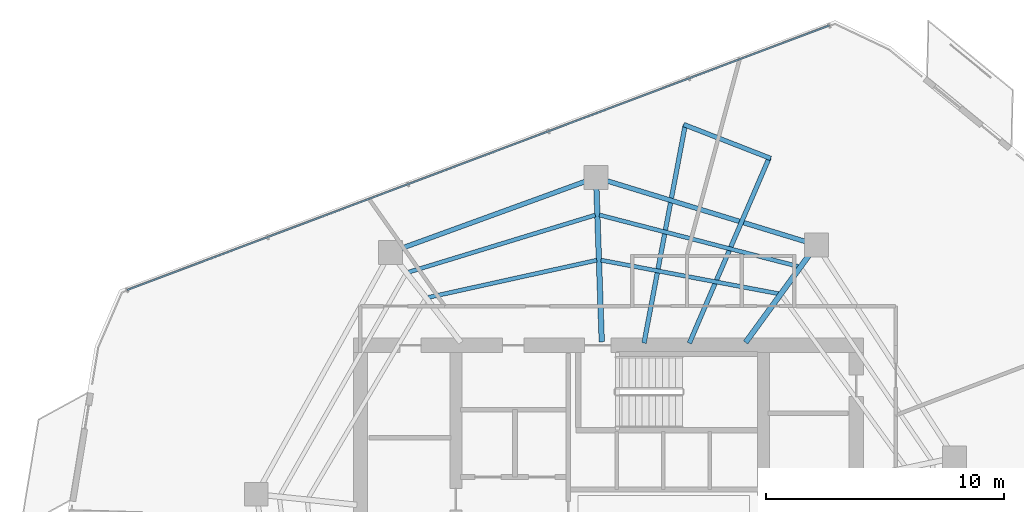
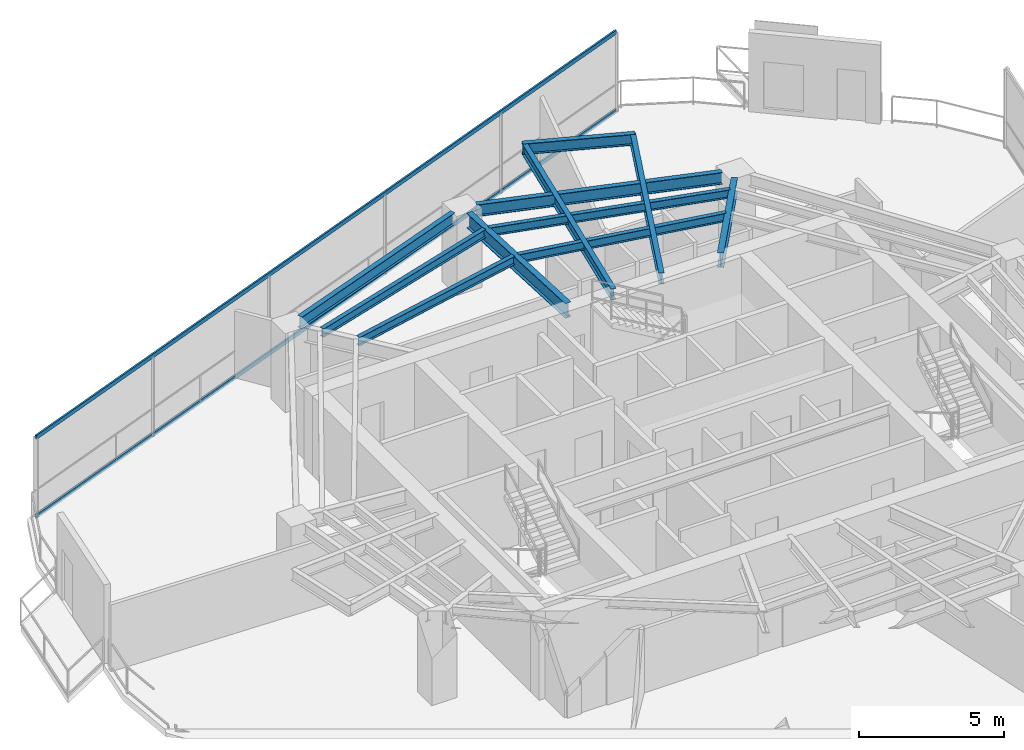
# One storey, part 11 of 19: 11 beams, 2 members, 1 element without a shape of its own.
"""IFC4 building model written with IfcOpenShell, lengths in metres."""

from ifc_helpers import new_model, si_unit, direction, frame, origin, origin_2d, place, context, subcontext, project, spatial, hollow_rectangle, i_section, extrude, material, layer, layer_set, material_profile, profile_set, type_object, element, aggregate, save


model = new_model("IFC4")

# Units and contexts
model_context = context("Model", 3, precision=1e-05, world=origin(), true_north=direction((0.0, 1.0)))
body_context = subcontext(model_context, "Body", "Model", "MODEL_VIEW")
ifc_project = project(units=[si_unit("LENGTHUNIT", "METRE"), si_unit("AREAUNIT", "SQUARE_METRE"), si_unit("VOLUMEUNIT", "CUBIC_METRE"), si_unit("PLANEANGLEUNIT", "RADIAN"), si_unit("MASSUNIT", "GRAM", prefix="KILO")], contexts=[model_context])

# Site, building, storey
site_placement = place(None, origin())
site = spatial("IfcSite", under=ifc_project, at=site_placement, CompositionType="ELEMENT")
building_placement = place(site_placement, origin())
building = spatial("IfcBuilding", under=site, at=building_placement, Name="Qarnah Convention Tower", CompositionType="ELEMENT")
storey_placement = place(building_placement, frame((0.0, 0.0, 143.699951171875)))
storey = spatial("IfcBuildingStorey", under=building, at=storey_placement, Name="L38", CompositionType="ELEMENT", Elevation=143.699951171875)

# Beams
ifc_material_1 = material(Name="Structural steel S355JR", Category="steel")
ifc_material_profile_1 = material_profile(ifc_material_1, i_section(OverallWidth=0.19189453125, OverallDepth=0.464111328125, WebThickness=0.010986328125, FlangeThickness=0.01806640625, at=origin_2d()), Name="W460X89")
ifc_profile_set_1 = profile_set([ifc_material_profile_1], Name="Structural steel S355JR")
beam_type_1 = type_object("IfcBeamType", Name="BM-CANT-W460A", PredefinedType="BEAM", material=ifc_profile_set_1)
beam_1_placement = place(storey_placement, frame((40.596923828125, 34.2919921875, 3.088134765625), z_axis=(0.395464433699, 0.918481290871, 0.0), x_axis=(-0.918481290871, 0.395464433699, 0.0)))
element("IfcBeam", 1, at=beam_1_placement, inside=storey, type_object=beam_type_1, Name="L38 beam BM-L38-CNT-01-1", PredefinedType="BEAM", context=body_context, shape_type="SweptSolid", body=[
    extrude(i_section(OverallWidth=0.19189453125, OverallDepth=0.464111328125, WebThickness=0.010986328125, FlangeThickness=0.01806640625, at=origin_2d()), origin(), (0.0, 0.0, 1.0), 8.4638671875),
])
beam_2_placement = place(storey_placement, frame((38.695068359375, 34.298095703125, 3.088134765625), z_axis=(0.185817043038, 0.982584361018, 0.0), x_axis=(-0.982584361018, 0.185817043038, 0.0)))
element("IfcBeam", 2, at=beam_2_placement, inside=storey, type_object=beam_type_1, Name="L38 beam BM-L38-CNT-01-2", PredefinedType="BEAM", context=body_context, shape_type="SweptSolid", body=[
    extrude(i_section(OverallWidth=0.19189453125, OverallDepth=0.464111328125, WebThickness=0.010986328125, FlangeThickness=0.01806640625, at=origin_2d()), origin(), (0.0, 0.0, 1.0), 9.304931640625),
])
beam_3_placement = place(storey_placement, frame((44.009033203125, 42.041015625, 3.088134765625), z_axis=(-0.931525629959, 0.363675680695, 0.0), x_axis=(-0.363675680695, -0.931525629959, 0.0)))
element("IfcBeam", 3, at=beam_3_placement, inside=storey, type_object=beam_type_1, Name="L38 spandrel BM-L38-CTIE-01", PredefinedType="SPANDREL", context=body_context, shape_type="SweptSolid", body=[
    extrude(i_section(OverallWidth=0.19189453125, OverallDepth=0.464111328125, WebThickness=0.010986328125, FlangeThickness=0.01806640625, at=origin_2d()), origin(), (0.0, 0.0, 1.0), 3.91845703125),
])
ifc_material_profile_2 = material_profile(ifc_material_1, i_section(OverallWidth=0.172119140625, OverallDepth=0.35595703125, WebThickness=0.007080078125, FlangeThickness=0.011962890625, at=origin_2d()), Name="W360X51")
ifc_profile_set_2 = profile_set([ifc_material_profile_2], Name="Structural steel S355JR")
beam_type_2 = type_object("IfcBeamType", Name="BM-JST-W360", PredefinedType="JOIST", material=ifc_profile_set_2)
beam_4_placement = place(storey_placement, frame((45.16796875, 37.510009765625, 3.14208984375), z_axis=(-0.968125718785, 0.250464753261, 0.0), x_axis=(-0.250464753261, -0.968125718785, 0.0)))
element("IfcBeam", 4, at=beam_4_placement, inside=storey, type_object=beam_type_2, Name="L38 joist BM-L38-SJST-02", PredefinedType="JOIST", context=body_context, shape_type="SweptSolid", body=[
    extrude(i_section(OverallWidth=0.172119140625, OverallDepth=0.35595703125, WebThickness=0.007080078125, FlangeThickness=0.011962890625, at=origin_2d()), origin(), (0.0, 0.0, 1.0), 8.61962890625),
])
beam_5_placement = place(storey_placement, frame((36.64990234375, 39.666015625, 3.14208984375), z_axis=(-0.956294191837, -0.29240625619, 0.0), x_axis=(0.29240625619, -0.956294191837, 0.0)))
element("IfcBeam", 5, at=beam_5_placement, inside=storey, type_object=beam_type_2, Name="L38 joist BM-L38-SJST-03", PredefinedType="JOIST", context=body_context, shape_type="SweptSolid", body=[
    extrude(i_section(OverallWidth=0.172119140625, OverallDepth=0.35595703125, WebThickness=0.007080078125, FlangeThickness=0.011962890625, at=origin_2d()), origin(), (0.0, 0.0, 1.0), 8.194091796875),
])
beam_6_placement = place(storey_placement, frame((44.341064453125, 36.365966796875, 3.14208984375), z_axis=(-0.982606152313, 0.185701775533, 0.0), x_axis=(-0.185701775533, -0.982606152313, 0.0)))
element("IfcBeam", 6, at=beam_6_placement, inside=storey, type_object=beam_type_2, Name="L38 joist BM-L38-IJST-02", PredefinedType="JOIST", context=body_context, shape_type="SweptSolid", body=[
    extrude(i_section(OverallWidth=0.172119140625, OverallDepth=0.35595703125, WebThickness=0.007080078125, FlangeThickness=0.011962890625, at=origin_2d()), origin(), (0.0, 0.0, 1.0), 7.581787109375),
])
beam_7_placement = place(storey_placement, frame((36.715087890625, 37.77197265625, 3.14208984375), z_axis=(-0.97646370679, -0.215681777908, 0.0), x_axis=(0.215681777908, -0.97646370679, 0.0)))
element("IfcBeam", 7, at=beam_7_placement, inside=storey, type_object=beam_type_2, Name="L38 joist BM-L38-IJST-03", PredefinedType="JOIST", context=body_context, shape_type="SweptSolid", body=[
    extrude(i_section(OverallWidth=0.172119140625, OverallDepth=0.35595703125, WebThickness=0.007080078125, FlangeThickness=0.011962890625, at=origin_2d()), origin(), (0.0, 0.0, 1.0), 7.246826171875),
])
ifc_material_profile_3 = material_profile(ifc_material_1, i_section(OverallWidth=0.22998046875, OverallDepth=0.617919921875, WebThickness=0.012939453125, FlangeThickness=0.02197265625, at=origin_2d()), Name="W610X140")
ifc_profile_set_3 = profile_set([ifc_material_profile_3], Name="Structural steel S355JR")
beam_type_3 = type_object("IfcBeamType", Name="BM-RAD-W610A", PredefinedType="BEAM", material=ifc_profile_set_3)
beam_8_placement = place(storey_placement, frame((42.955078125, 34.321044921875, 3.010986328125), z_axis=(0.58781027487, 0.808998813817, 0.0), x_axis=(-0.808998813817, 0.58781027487, 0.0)))
element("IfcBeam", 8, at=beam_8_placement, inside=storey, type_object=beam_type_3, Name="L38 beam BM-L38-RAD-02", PredefinedType="BEAM", context=body_context, shape_type="SweptSolid", body=[
    extrude(i_section(OverallWidth=0.22998046875, OverallDepth=0.617919921875, WebThickness=0.012939453125, FlangeThickness=0.02197265625, at=origin_2d()), origin(), (0.0, 0.0, 1.0), 4.57958984375),
])
beam_9_placement = place(storey_placement, frame((36.923095703125, 34.35009765625, 3.010986328125), z_axis=(-0.034938098977, 0.999389478252, 0.0), x_axis=(-0.999389478252, -0.034938098977, 0.0)))
element("IfcBeam", 9, at=beam_9_placement, inside=storey, type_object=beam_type_3, Name="L38 beam BM-L38-RAD-03", PredefinedType="BEAM", context=body_context, shape_type="SweptSolid", body=[
    extrude(i_section(OverallWidth=0.22998046875, OverallDepth=0.617919921875, WebThickness=0.012939453125, FlangeThickness=0.02197265625, at=origin_2d()), origin(), (0.0, 0.0, 1.0), 6.414794921875),
])
ifc_material_profile_4 = material_profile(ifc_material_1, i_section(OverallWidth=0.199951171875, OverallDepth=0.5, WebThickness=0.010009765625, FlangeThickness=0.01611328125, at=origin_2d()), Name="IPE500")
ifc_profile_set_4 = profile_set([ifc_material_profile_4], Name="Structural steel S355JR")
beam_type_4 = type_object("IfcBeamType", Name="BM-SPN-IPE500", PredefinedType="SPANDREL", material=ifc_profile_set_4)
beam_10_placement = place(storey_placement, frame((45.4599609375, 38.556884765625, 3.070068359375), z_axis=(-0.956283054976, 0.292442676035, 0.0), x_axis=(-0.292442676035, -0.956283054976, 0.0)))
element("IfcBeam", 10, at=beam_10_placement, inside=storey, type_object=beam_type_4, Name="L38 spandrel BM-L38-SPN-02", PredefinedType="SPANDREL", context=body_context, shape_type="SweptSolid", body=[
    extrude(i_section(OverallWidth=0.199951171875, OverallDepth=0.5, WebThickness=0.010009765625, FlangeThickness=0.01611328125, at=origin_2d()), origin(), (0.0, 0.0, 1.0), 8.68896484375),
])
beam_11_placement = place(storey_placement, frame((36.221923828125, 41.072998046875, 3.070068359375), z_axis=(-0.939745596534, -0.341874558567, 0.0), x_axis=(0.341874558567, -0.939745596534, 0.0)))
element("IfcBeam", 11, at=beam_11_placement, inside=storey, type_object=beam_type_4, Name="L38 spandrel BM-L38-SPN-03", PredefinedType="SPANDREL", context=body_context, shape_type="SweptSolid", body=[
    extrude(i_section(OverallWidth=0.199951171875, OverallDepth=0.5, WebThickness=0.010009765625, FlangeThickness=0.01611328125, at=origin_2d()), origin(), (0.0, 0.0, 1.0), 8.19873046875),
])

# Curtain wall, members
ifc_material_2 = material(Name="Tempered Low-E dark glass", Category="glass")
ifc_layer = layer(ifc_material_2, 0.172119140625)
ifc_layer_set = layer_set([ifc_layer], Name="Tempered Low-E dark glass")
curtain_wall_type = type_object("IfcCurtainWallType", Name="CWS-03", PredefinedType="NOTDEFINED", material=ifc_layer_set)
curtain_wall_placement = place(storey_placement, origin())
curtain_wall = element("IfcCurtainWall", 12, at=curtain_wall_placement, inside=storey, type_object=curtain_wall_type, Name="L38 unitised curtain wall CW-L38-F1", PredefinedType="NOTDEFINED")
ifc_material_3 = material(Name="Black anodised aluminium", Category="aluminium")
ifc_material_profile_5 = material_profile(ifc_material_3, hollow_rectangle(XDim=0.070068359375, YDim=0.169921875, WallThickness=0.0048828125, at=origin_2d()), Name="TRN-70X170")
ifc_profile_set_5 = profile_set([ifc_material_profile_5], Name="Black anodised aluminium")
member_type = type_object("IfcMemberType", Name="TRN-T3", PredefinedType="USERDEFINED", material=ifc_profile_set_5)
member_1_placement = place(storey_placement, frame((17.012939453125, 36.52099609375, 0.0), z_axis=(0.9358080014, 0.352510119735, 0.0), x_axis=(-0.352510119735, 0.9358080014, 0.0)))
member_1 = element("IfcMember", 13, at=member_1_placement, type_object=member_type, Name="CW-L38-F1 transom 1", ObjectType="TRANSOM", PredefinedType="USERDEFINED", context=body_context, shape_type="SweptSolid", body=[
    extrude(hollow_rectangle(XDim=0.070068359375, YDim=0.169921875, WallThickness=0.0048828125, at=origin_2d()), origin(), (0.0, 0.0, 1.0), 31.479736328125),
])
member_2_placement = place(storey_placement, frame((17.012939453125, 36.52099609375, 3.320068359375), z_axis=(0.9358080014, 0.352510119735, 0.0), x_axis=(-0.352510119735, 0.9358080014, 0.0)))
member_2 = element("IfcMember", 14, at=member_2_placement, type_object=member_type, Name="CW-L38-F1 transom 2", ObjectType="TRANSOM", PredefinedType="USERDEFINED", context=body_context, shape_type="SweptSolid", body=[
    extrude(hollow_rectangle(XDim=0.070068359375, YDim=0.169921875, WallThickness=0.0048828125, at=origin_2d()), origin(), (0.0, 0.0, 1.0), 31.479736328125),
])
aggregate(curtain_wall, [member_1, member_2])

save(model, "model.ifc")
